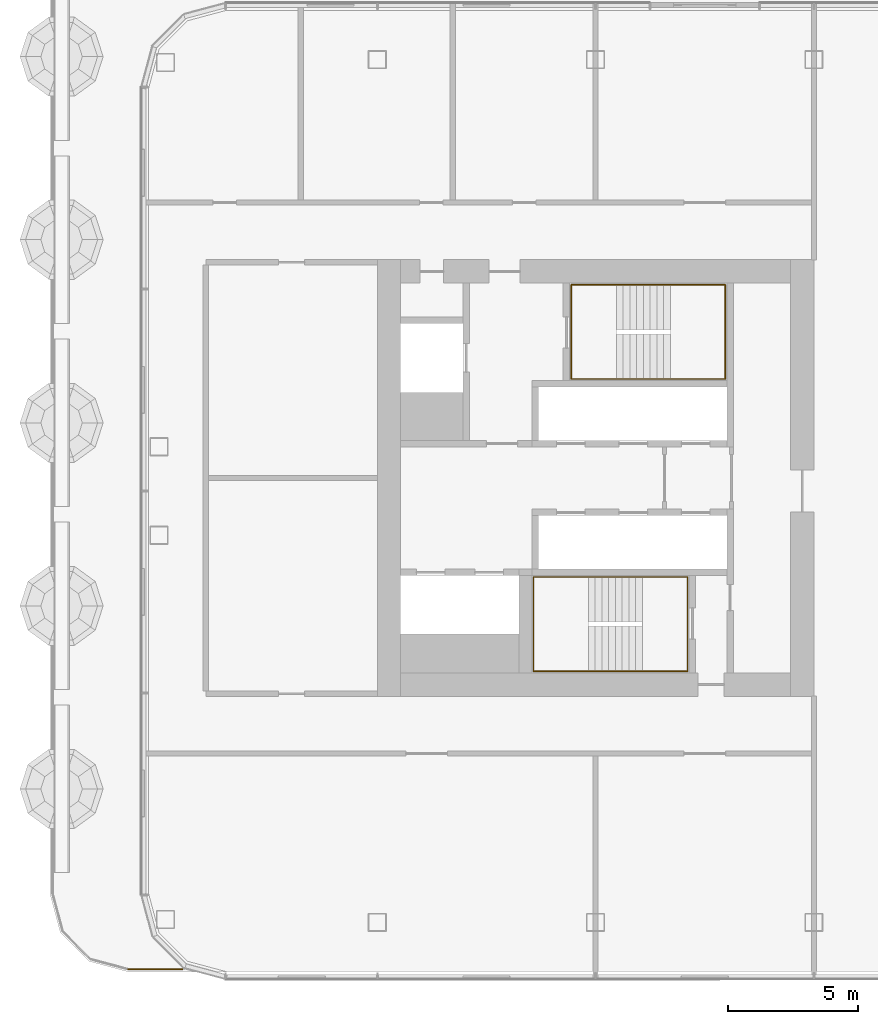
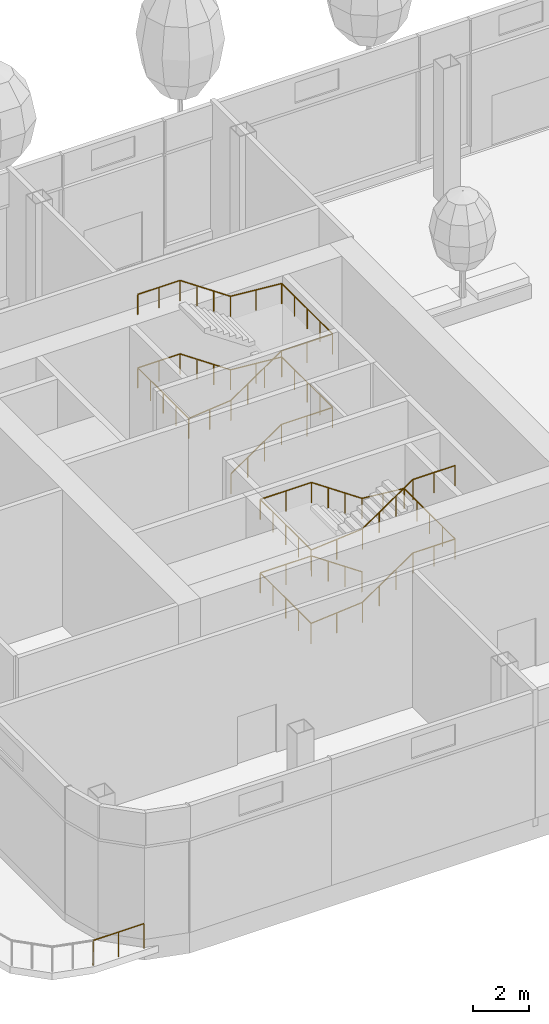
# One storey, part 33 of 43: 3 railings.
"""IFC4 building model written with IfcOpenShell, lengths in metres."""

from ifc_helpers import new_model, si_unit, direction, frame, origin, origin_2d, place, context, subcontext, project, spatial, circle, extrude, material, type_object, element, save


model = new_model("IFC4")

# Units and contexts
model_context = context("Model", 3, precision=1e-05, world=origin(), true_north=direction((0.0, 1.0)))
body_context = subcontext(model_context, "Body", "Model", "MODEL_VIEW")
ifc_project = project(units=[si_unit("LENGTHUNIT", "METRE"), si_unit("AREAUNIT", "SQUARE_METRE"), si_unit("VOLUMEUNIT", "CUBIC_METRE"), si_unit("PLANEANGLEUNIT", "RADIAN"), si_unit("MASSUNIT", "GRAM", prefix="KILO")], contexts=[model_context])

# Site, building, storey
site_placement = place(None, origin())
site = spatial("IfcSite", under=ifc_project, at=site_placement, CompositionType="ELEMENT")
building_placement = place(site_placement, origin())
building = spatial("IfcBuilding", under=site, at=building_placement, Name="Hakoniwa Tower and Hamabe Station Hall", CompositionType="ELEMENT")
storey_placement = place(building_placement, frame((0.0, 0.0, 124.60009765625)))
storey = spatial("IfcBuildingStorey", under=building, at=storey_placement, Name="L35", CompositionType="ELEMENT", Elevation=124.60009765625)

# Railings
ifc_material_1 = material(Name="Stainless steel SUS304", Category="steel")
railing_type_1 = type_object("IfcRailingType", Name="STAIR HANDRAIL 900", PredefinedType="HANDRAIL", material=ifc_material_1)
railing_1_placement = place(storey_placement, frame((-24.39990234375, 3.81005859375, 0.177734375)))
element("IfcRailing", 1, at=railing_1_placement, inside=storey, type_object=railing_type_1, Name="Handrail ST-1 L35 1", PredefinedType="HANDRAIL", context=body_context, shape_type="SweptSolid", body=[
    extrude(circle(Radius=0.02392578125, at=origin_2d()), frame((0.0, 0.0, 0.8759765625), z_axis=(0.825478349766, 0.0, 0.564433781827), x_axis=(0.0, 1.0, 0.0)), (0.0, 0.0, 1.0), 2.51953125),
    extrude(circle(Radius=0.02392578125, at=origin_2d()), frame((2.079833984375, 0.0, 2.2978515625), z_axis=(1.0, 0.0, 0.0), x_axis=(0.0, 1.0, 0.0)), (0.0, 0.0, 1.0), 2.110107421875),
    extrude(circle(Radius=0.02392578125, at=origin_2d()), frame((4.18994140625, 0.0, 2.2978515625), z_axis=(0.0, 1.0, 0.0), x_axis=(-1.0, 0.0, 0.0)), (0.0, 0.0, 1.0), 3.6298828125),
    extrude(circle(Radius=0.02392578125, at=origin_2d()), frame((4.18994140625, 3.6298828125, 2.2978515625), z_axis=(-0.996471417081, 0.0, 0.083932800143), x_axis=(0.0, -1.0, 0.0)), (0.0, 0.0, 1.0), 2.11767578125),
    extrude(circle(Radius=0.02392578125, at=origin_2d()), frame((2.079833984375, 3.6298828125, 2.4755859375), z_axis=(-0.825433201882, 0.0, 0.564499804456), x_axis=(0.0, -1.0, 0.0)), (0.0, 0.0, 1.0), 2.519775390625),
    extrude(circle(Radius=0.02392578125, at=origin_2d()), frame((0.0, 3.6298828125, 3.89794921875), z_axis=(-1.0, 0.0, 0.0), x_axis=(0.0, -1.0, 0.0)), (0.0, 0.0, 1.0), 1.739990234375),
    extrude(circle(Radius=0.02392578125, at=origin_2d()), frame((-1.739990234375, 3.6298828125, 3.89794921875), z_axis=(0.0, -1.0, 0.0), x_axis=(1.0, 0.0, 0.0)), (0.0, 0.0, 1.0), 3.6298828125),
    extrude(circle(Radius=0.02392578125, at=origin_2d()), frame((-1.739990234375, 0.0, 3.89794921875), z_axis=(0.994823492686, 0.0, 0.10161800234), x_axis=(0.0, 1.0, 0.0)), (0.0, 0.0, 1.0), 1.7490234375),
    extrude(circle(Radius=0.02392578125, at=origin_2d()), frame((0.0, 0.0, 4.07568359375), z_axis=(0.825478349766, 0.0, 0.564433781827), x_axis=(0.0, 1.0, 0.0)), (0.0, 0.0, 1.0), 2.51953125),
    extrude(circle(Radius=0.02392578125, at=origin_2d()), frame((2.079833984375, 0.0, 5.498046875), z_axis=(1.0, 0.0, 0.0), x_axis=(0.0, 1.0, 0.0)), (0.0, 0.0, 1.0), 2.110107421875),
    extrude(circle(Radius=0.02392578125, at=origin_2d()), frame((4.18994140625, 0.0, 5.498046875), z_axis=(0.0, 1.0, 0.0), x_axis=(-1.0, 0.0, 0.0)), (0.0, 0.0, 1.0), 3.6298828125),
    extrude(circle(Radius=0.02392578125, at=origin_2d()), frame((4.18994140625, 3.6298828125, 5.498046875), z_axis=(-0.996461767938, 0.0, 0.084047278587), x_axis=(0.0, -1.0, 0.0)), (0.0, 0.0, 1.0), 2.11767578125),
    extrude(circle(Radius=0.02392578125, at=origin_2d()), frame((2.079833984375, 3.6298828125, 5.67578125), z_axis=(-0.825478349766, 0.0, 0.564433781827), x_axis=(0.0, -1.0, 0.0)), (0.0, 0.0, 1.0), 2.51953125),
    extrude(circle(Radius=0.02392578125, at=origin_2d()), frame((0.0, 3.6298828125, 7.09814453125), z_axis=(-1.0, 0.0, 0.0), x_axis=(0.0, -1.0, 0.0)), (0.0, 0.0, 1.0), 1.739990234375),
    extrude(circle(Radius=0.02099609375, at=origin_2d()), origin(), (0.0, 0.0, 1.0), 0.851806640625),
    extrude(circle(Radius=0.02099609375, at=origin_2d()), frame((0.693359375, 0.0, 0.47412109375)), (0.0, 0.0, 1.0), 0.851806640625),
    extrude(circle(Radius=0.02099609375, at=origin_2d()), frame((1.386474609375, 0.0, 0.947998046875)), (0.0, 0.0, 1.0), 0.851806640625),
    extrude(circle(Radius=0.02099609375, at=origin_2d()), frame((2.079833984375, 0.0, 1.422119140625)), (0.0, 0.0, 1.0), 0.851806640625),
    extrude(circle(Radius=0.02099609375, at=origin_2d()), frame((3.134765625, 0.0, 1.422119140625)), (0.0, 0.0, 1.0), 0.851806640625),
    extrude(circle(Radius=0.02099609375, at=origin_2d()), frame((4.18994140625, 0.0, 1.422119140625)), (0.0, 0.0, 1.0), 0.851806640625),
    extrude(circle(Radius=0.02099609375, at=origin_2d()), frame((4.18994140625, 0.907470703125, 1.422119140625)), (0.0, 0.0, 1.0), 0.851806640625),
    extrude(circle(Radius=0.02099609375, at=origin_2d()), frame((4.18994140625, 1.81494140625, 1.422119140625)), (0.0, 0.0, 1.0), 0.851806640625),
    extrude(circle(Radius=0.02099609375, at=origin_2d()), frame((4.18994140625, 2.722412109375, 1.422119140625)), (0.0, 0.0, 1.0), 0.851806640625),
    extrude(circle(Radius=0.02099609375, at=origin_2d()), frame((4.18994140625, 3.6298828125, 1.422119140625)), (0.0, 0.0, 1.0), 0.851806640625),
    extrude(circle(Radius=0.02099609375, at=origin_2d()), frame((3.134765625, 3.6298828125, 1.510986328125)), (0.0, 0.0, 1.0), 0.851806640625),
    extrude(circle(Radius=0.02099609375, at=origin_2d()), frame((2.079833984375, 3.6298828125, 1.599853515625)), (0.0, 0.0, 1.0), 0.851806640625),
    extrude(circle(Radius=0.02099609375, at=origin_2d()), frame((1.386474609375, 3.6298828125, 2.073974609375)), (0.0, 0.0, 1.0), 0.851806640625),
    extrude(circle(Radius=0.02099609375, at=origin_2d()), frame((0.693359375, 3.6298828125, 2.548095703125)), (0.0, 0.0, 1.0), 0.851806640625),
    extrude(circle(Radius=0.02099609375, at=origin_2d()), frame((0.0, 3.6298828125, 3.022216796875)), (0.0, 0.0, 1.0), 0.851806640625),
    extrude(circle(Radius=0.02099609375, at=origin_2d()), frame((-0.8701171875, 3.6298828125, 3.022216796875)), (0.0, 0.0, 1.0), 0.851806640625),
    extrude(circle(Radius=0.02099609375, at=origin_2d()), frame((-1.739990234375, 3.6298828125, 3.022216796875)), (0.0, 0.0, 1.0), 0.851806640625),
    extrude(circle(Radius=0.02099609375, at=origin_2d()), frame((-1.739990234375, 2.722412109375, 3.022216796875)), (0.0, 0.0, 1.0), 0.851806640625),
    extrude(circle(Radius=0.02099609375, at=origin_2d()), frame((-1.739990234375, 1.81494140625, 3.022216796875)), (0.0, 0.0, 1.0), 0.851806640625),
    extrude(circle(Radius=0.02099609375, at=origin_2d()), frame((-1.739990234375, 0.907470703125, 3.022216796875)), (0.0, 0.0, 1.0), 0.851806640625),
    extrude(circle(Radius=0.02099609375, at=origin_2d()), frame((-1.739990234375, 0.0, 3.022216796875)), (0.0, 0.0, 1.0), 0.851806640625),
    extrude(circle(Radius=0.02099609375, at=origin_2d()), frame((-0.8701171875, 0.0, 3.111083984375)), (0.0, 0.0, 1.0), 0.851806640625),
    extrude(circle(Radius=0.02099609375, at=origin_2d()), frame((0.0, 0.0, 3.199951171875)), (0.0, 0.0, 1.0), 0.851806640625),
    extrude(circle(Radius=0.02099609375, at=origin_2d()), frame((0.693359375, 0.0, 3.674072265625)), (0.0, 0.0, 1.0), 0.851806640625),
    extrude(circle(Radius=0.02099609375, at=origin_2d()), frame((1.386474609375, 0.0, 4.14794921875)), (0.0, 0.0, 1.0), 0.851806640625),
    extrude(circle(Radius=0.02099609375, at=origin_2d()), frame((2.079833984375, 0.0, 4.6220703125)), (0.0, 0.0, 1.0), 0.851806640625),
    extrude(circle(Radius=0.02099609375, at=origin_2d()), frame((3.134765625, 0.0, 4.6220703125)), (0.0, 0.0, 1.0), 0.851806640625),
    extrude(circle(Radius=0.02099609375, at=origin_2d()), frame((4.18994140625, 0.0, 4.6220703125)), (0.0, 0.0, 1.0), 0.851806640625),
    extrude(circle(Radius=0.02099609375, at=origin_2d()), frame((4.18994140625, 0.907470703125, 4.6220703125)), (0.0, 0.0, 1.0), 0.851806640625),
    extrude(circle(Radius=0.02099609375, at=origin_2d()), frame((4.18994140625, 1.81494140625, 4.6220703125)), (0.0, 0.0, 1.0), 0.851806640625),
    extrude(circle(Radius=0.02099609375, at=origin_2d()), frame((4.18994140625, 2.722412109375, 4.6220703125)), (0.0, 0.0, 1.0), 0.851806640625),
    extrude(circle(Radius=0.02099609375, at=origin_2d()), frame((4.18994140625, 3.6298828125, 4.6220703125)), (0.0, 0.0, 1.0), 0.851806640625),
    extrude(circle(Radius=0.02099609375, at=origin_2d()), frame((3.134765625, 3.6298828125, 4.7109375)), (0.0, 0.0, 1.0), 0.851806640625),
    extrude(circle(Radius=0.02099609375, at=origin_2d()), frame((2.079833984375, 3.6298828125, 4.800048828125)), (0.0, 0.0, 1.0), 0.851806640625),
    extrude(circle(Radius=0.02099609375, at=origin_2d()), frame((1.386474609375, 3.6298828125, 5.274169921875)), (0.0, 0.0, 1.0), 0.851806640625),
    extrude(circle(Radius=0.02099609375, at=origin_2d()), frame((0.693359375, 3.6298828125, 5.748046875)), (0.0, 0.0, 1.0), 0.851806640625),
    extrude(circle(Radius=0.02099609375, at=origin_2d()), frame((0.0, 3.6298828125, 6.22216796875)), (0.0, 0.0, 1.0), 0.851806640625),
    extrude(circle(Radius=0.02099609375, at=origin_2d()), frame((-0.8701171875, 3.6298828125, 6.22216796875)), (0.0, 0.0, 1.0), 0.851806640625),
    extrude(circle(Radius=0.02099609375, at=origin_2d()), frame((-1.739990234375, 3.6298828125, 6.22216796875)), (0.0, 0.0, 1.0), 0.851806640625),
])
railing_2_placement = place(storey_placement, frame((-23.39990234375, -3.81005859375, 0.177734375)))
element("IfcRailing", 2, at=railing_2_placement, inside=storey, type_object=railing_type_1, Name="Handrail ST-2 L35 1", PredefinedType="HANDRAIL", context=body_context, shape_type="SweptSolid", body=[
    extrude(circle(Radius=0.02392578125, at=origin_2d()), frame((0.0, 0.0, 0.8759765625), z_axis=(-0.82550921652, 0.0, 0.564388636881), x_axis=(0.0, -1.0, 0.0)), (0.0, 0.0, 1.0), 2.519775390625),
    extrude(circle(Radius=0.02392578125, at=origin_2d()), frame((-2.080078125, 0.0, 2.2978515625), z_axis=(-1.0, 0.0, 0.0), x_axis=(0.0, -1.0, 0.0)), (0.0, 0.0, 1.0), 2.110107421875),
    extrude(circle(Radius=0.02392578125, at=origin_2d()), frame((-4.190185546875, 0.0, 2.2978515625), z_axis=(0.0, -1.0, 0.0), x_axis=(1.0, 0.0, 0.0)), (0.0, 0.0, 1.0), 3.6298828125),
    extrude(circle(Radius=0.02392578125, at=origin_2d()), frame((-4.190185546875, -3.6298828125, 2.2978515625), z_axis=(0.996471417081, 0.0, 0.083932800143), x_axis=(0.0, 1.0, 0.0)), (0.0, 0.0, 1.0), 2.11767578125),
    extrude(circle(Radius=0.02392578125, at=origin_2d()), frame((-2.080078125, -3.6298828125, 2.4755859375), z_axis=(0.825464074169, 0.0, 0.564454659168), x_axis=(0.0, 1.0, 0.0)), (0.0, 0.0, 1.0), 2.519775390625),
    extrude(circle(Radius=0.02392578125, at=origin_2d()), frame((0.0, -3.6298828125, 3.89794921875), z_axis=(1.0, 0.0, 0.0), x_axis=(0.0, 1.0, 0.0)), (0.0, 0.0, 1.0), 1.739990234375),
    extrude(circle(Radius=0.02392578125, at=origin_2d()), frame((1.739990234375, -3.6298828125, 3.89794921875), z_axis=(0.0, 1.0, 0.0), x_axis=(-1.0, 0.0, 0.0)), (0.0, 0.0, 1.0), 3.6298828125),
    extrude(circle(Radius=0.02392578125, at=origin_2d()), frame((1.739990234375, 0.0, 3.89794921875), z_axis=(-0.994823492686, 0.0, 0.10161800234), x_axis=(0.0, -1.0, 0.0)), (0.0, 0.0, 1.0), 1.7490234375),
    extrude(circle(Radius=0.02392578125, at=origin_2d()), frame((0.0, 0.0, 4.07568359375), z_axis=(-0.82550921652, 0.0, 0.564388636881), x_axis=(0.0, -1.0, 0.0)), (0.0, 0.0, 1.0), 2.519775390625),
    extrude(circle(Radius=0.02392578125, at=origin_2d()), frame((-2.080078125, 0.0, 5.498046875), z_axis=(-1.0, 0.0, 0.0), x_axis=(0.0, -1.0, 0.0)), (0.0, 0.0, 1.0), 2.110107421875),
    extrude(circle(Radius=0.02392578125, at=origin_2d()), frame((-4.190185546875, 0.0, 5.498046875), z_axis=(0.0, -1.0, 0.0), x_axis=(1.0, 0.0, 0.0)), (0.0, 0.0, 1.0), 3.6298828125),
    extrude(circle(Radius=0.02392578125, at=origin_2d()), frame((-4.190185546875, -3.6298828125, 5.498046875), z_axis=(0.996461767938, 0.0, 0.084047278587), x_axis=(0.0, 1.0, 0.0)), (0.0, 0.0, 1.0), 2.11767578125),
    extrude(circle(Radius=0.02392578125, at=origin_2d()), frame((-2.080078125, -3.6298828125, 5.67578125), z_axis=(0.82550921652, 0.0, 0.564388636881), x_axis=(0.0, 1.0, 0.0)), (0.0, 0.0, 1.0), 2.519775390625),
    extrude(circle(Radius=0.02392578125, at=origin_2d()), frame((0.0, -3.6298828125, 7.09814453125), z_axis=(1.0, 0.0, 0.0), x_axis=(0.0, 1.0, 0.0)), (0.0, 0.0, 1.0), 1.739990234375),
    extrude(circle(Radius=0.02099609375, at=origin_2d()), origin(), (0.0, 0.0, 1.0), 0.851806640625),
    extrude(circle(Radius=0.02099609375, at=origin_2d()), frame((-0.693359375, 0.0, 0.47412109375)), (0.0, 0.0, 1.0), 0.851806640625),
    extrude(circle(Radius=0.02099609375, at=origin_2d()), frame((-1.38671875, 0.0, 0.947998046875)), (0.0, 0.0, 1.0), 0.851806640625),
    extrude(circle(Radius=0.02099609375, at=origin_2d()), frame((-2.080078125, 0.0, 1.422119140625)), (0.0, 0.0, 1.0), 0.851806640625),
    extrude(circle(Radius=0.02099609375, at=origin_2d()), frame((-3.13525390625, 0.0, 1.422119140625)), (0.0, 0.0, 1.0), 0.851806640625),
    extrude(circle(Radius=0.02099609375, at=origin_2d()), frame((-4.190185546875, 0.0, 1.422119140625)), (0.0, 0.0, 1.0), 0.851806640625),
    extrude(circle(Radius=0.02099609375, at=origin_2d()), frame((-4.190185546875, -0.907470703125, 1.422119140625)), (0.0, 0.0, 1.0), 0.851806640625),
    extrude(circle(Radius=0.02099609375, at=origin_2d()), frame((-4.190185546875, -1.81494140625, 1.422119140625)), (0.0, 0.0, 1.0), 0.851806640625),
    extrude(circle(Radius=0.02099609375, at=origin_2d()), frame((-4.190185546875, -2.722412109375, 1.422119140625)), (0.0, 0.0, 1.0), 0.851806640625),
    extrude(circle(Radius=0.02099609375, at=origin_2d()), frame((-4.190185546875, -3.6298828125, 1.422119140625)), (0.0, 0.0, 1.0), 0.851806640625),
    extrude(circle(Radius=0.02099609375, at=origin_2d()), frame((-3.13525390625, -3.6298828125, 1.510986328125)), (0.0, 0.0, 1.0), 0.851806640625),
    extrude(circle(Radius=0.02099609375, at=origin_2d()), frame((-2.080078125, -3.6298828125, 1.599853515625)), (0.0, 0.0, 1.0), 0.851806640625),
    extrude(circle(Radius=0.02099609375, at=origin_2d()), frame((-1.38671875, -3.6298828125, 2.073974609375)), (0.0, 0.0, 1.0), 0.851806640625),
    extrude(circle(Radius=0.02099609375, at=origin_2d()), frame((-0.693359375, -3.6298828125, 2.548095703125)), (0.0, 0.0, 1.0), 0.851806640625),
    extrude(circle(Radius=0.02099609375, at=origin_2d()), frame((0.0, -3.6298828125, 3.022216796875)), (0.0, 0.0, 1.0), 0.851806640625),
    extrude(circle(Radius=0.02099609375, at=origin_2d()), frame((0.8701171875, -3.6298828125, 3.022216796875)), (0.0, 0.0, 1.0), 0.851806640625),
    extrude(circle(Radius=0.02099609375, at=origin_2d()), frame((1.739990234375, -3.6298828125, 3.022216796875)), (0.0, 0.0, 1.0), 0.851806640625),
    extrude(circle(Radius=0.02099609375, at=origin_2d()), frame((1.739990234375, -2.722412109375, 3.022216796875)), (0.0, 0.0, 1.0), 0.851806640625),
    extrude(circle(Radius=0.02099609375, at=origin_2d()), frame((1.739990234375, -1.81494140625, 3.022216796875)), (0.0, 0.0, 1.0), 0.851806640625),
    extrude(circle(Radius=0.02099609375, at=origin_2d()), frame((1.739990234375, -0.907470703125, 3.022216796875)), (0.0, 0.0, 1.0), 0.851806640625),
    extrude(circle(Radius=0.02099609375, at=origin_2d()), frame((1.739990234375, 0.0, 3.022216796875)), (0.0, 0.0, 1.0), 0.851806640625),
    extrude(circle(Radius=0.02099609375, at=origin_2d()), frame((0.8701171875, 0.0, 3.111083984375)), (0.0, 0.0, 1.0), 0.851806640625),
    extrude(circle(Radius=0.02099609375, at=origin_2d()), frame((0.0, 0.0, 3.199951171875)), (0.0, 0.0, 1.0), 0.851806640625),
    extrude(circle(Radius=0.02099609375, at=origin_2d()), frame((-0.693359375, 0.0, 3.674072265625)), (0.0, 0.0, 1.0), 0.851806640625),
    extrude(circle(Radius=0.02099609375, at=origin_2d()), frame((-1.38671875, 0.0, 4.14794921875)), (0.0, 0.0, 1.0), 0.851806640625),
    extrude(circle(Radius=0.02099609375, at=origin_2d()), frame((-2.080078125, 0.0, 4.6220703125)), (0.0, 0.0, 1.0), 0.851806640625),
    extrude(circle(Radius=0.02099609375, at=origin_2d()), frame((-3.13525390625, 0.0, 4.6220703125)), (0.0, 0.0, 1.0), 0.851806640625),
    extrude(circle(Radius=0.02099609375, at=origin_2d()), frame((-4.190185546875, 0.0, 4.6220703125)), (0.0, 0.0, 1.0), 0.851806640625),
    extrude(circle(Radius=0.02099609375, at=origin_2d()), frame((-4.190185546875, -0.907470703125, 4.6220703125)), (0.0, 0.0, 1.0), 0.851806640625),
    extrude(circle(Radius=0.02099609375, at=origin_2d()), frame((-4.190185546875, -1.81494140625, 4.6220703125)), (0.0, 0.0, 1.0), 0.851806640625),
    extrude(circle(Radius=0.02099609375, at=origin_2d()), frame((-4.190185546875, -2.722412109375, 4.6220703125)), (0.0, 0.0, 1.0), 0.851806640625),
    extrude(circle(Radius=0.02099609375, at=origin_2d()), frame((-4.190185546875, -3.6298828125, 4.6220703125)), (0.0, 0.0, 1.0), 0.851806640625),
    extrude(circle(Radius=0.02099609375, at=origin_2d()), frame((-3.13525390625, -3.6298828125, 4.7109375)), (0.0, 0.0, 1.0), 0.851806640625),
    extrude(circle(Radius=0.02099609375, at=origin_2d()), frame((-2.080078125, -3.6298828125, 4.800048828125)), (0.0, 0.0, 1.0), 0.851806640625),
    extrude(circle(Radius=0.02099609375, at=origin_2d()), frame((-1.38671875, -3.6298828125, 5.274169921875)), (0.0, 0.0, 1.0), 0.851806640625),
    extrude(circle(Radius=0.02099609375, at=origin_2d()), frame((-0.693359375, -3.6298828125, 5.748046875)), (0.0, 0.0, 1.0), 0.851806640625),
    extrude(circle(Radius=0.02099609375, at=origin_2d()), frame((0.0, -3.6298828125, 6.22216796875)), (0.0, 0.0, 1.0), 0.851806640625),
    extrude(circle(Radius=0.02099609375, at=origin_2d()), frame((0.8701171875, -3.6298828125, 6.22216796875)), (0.0, 0.0, 1.0), 0.851806640625),
    extrude(circle(Radius=0.02099609375, at=origin_2d()), frame((1.739990234375, -3.6298828125, 6.22216796875)), (0.0, 0.0, 1.0), 0.851806640625),
])
ifc_material_2 = material(Name="Stainless steel and laminated glass", Category="steel")
railing_type_2 = type_object("IfcRailingType", Name="TERRACE BALUSTRADE 1100", PredefinedType="BALUSTRADE", material=ifc_material_2)
railing_3_placement = place(storey_placement, frame((-43.186767578125, -18.90087890625, 0.0)))
element("IfcRailing", 3, at=railing_3_placement, inside=storey, type_object=railing_type_2, Name="Terrace balustrade", PredefinedType="BALUSTRADE", context=body_context, shape_type="SweptSolid", body=[
    extrude(circle(Radius=0.02392578125, at=origin_2d()), frame((0.0, 0.0, 1.076171875), z_axis=(1.0, 0.0, 0.0), x_axis=(0.0, 1.0, 0.0)), (0.0, 0.0, 1.0), 2.0869140625),
    extrude(circle(Radius=0.02099609375, at=origin_2d()), origin(), (0.0, 0.0, 1.0), 1.052001953125),
    extrude(circle(Radius=0.02099609375, at=origin_2d()), frame((1.04345703125, 0.0, 0.0)), (0.0, 0.0, 1.0), 1.052001953125),
    extrude(circle(Radius=0.02099609375, at=origin_2d()), frame((2.0869140625, 0.0, 0.0)), (0.0, 0.0, 1.0), 1.052001953125),
])

save(model, "model.ifc")
